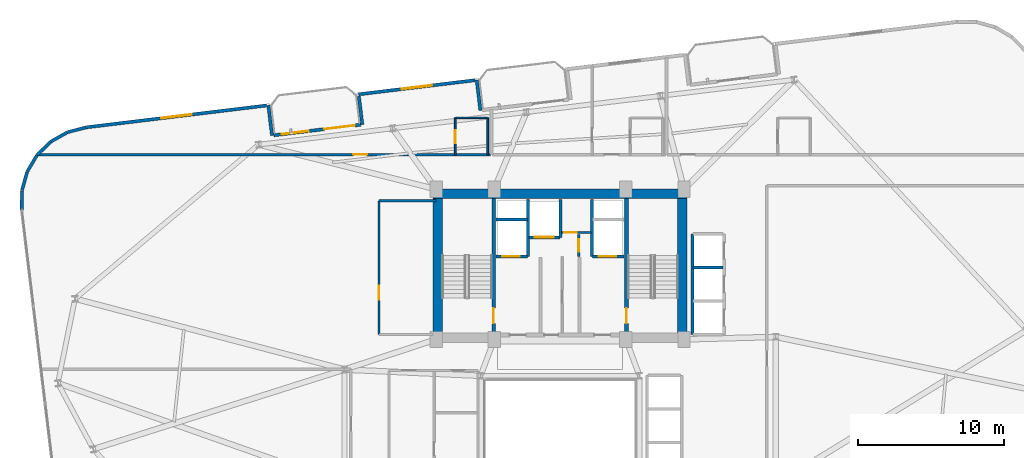
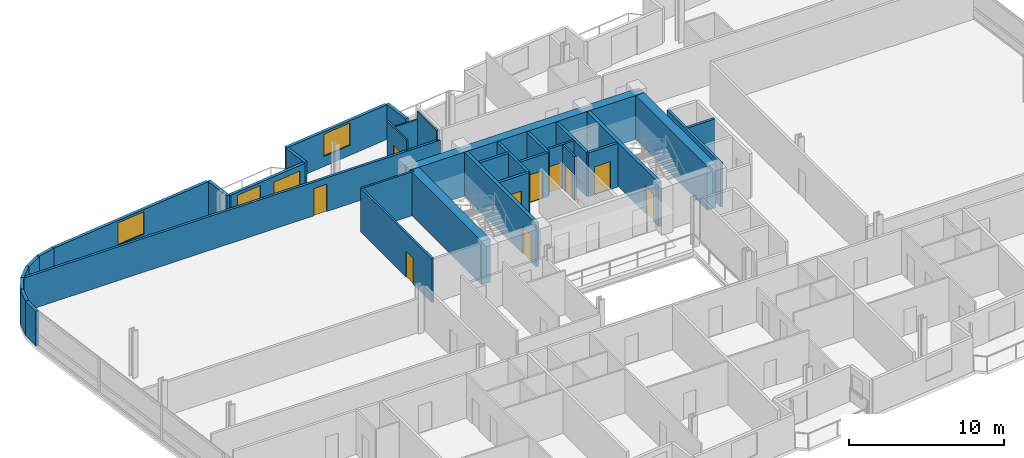
# One storey, part 18 of 24: 34 walls, 11 doors, 3 windows, 14 openings.
"""IFC4 building model written with IfcOpenShell, lengths in metres."""

from ifc_helpers import new_model, si_unit, direction, frame, frame_2d, origin, place, context, subcontext, project, spatial, rectangle, extrude, material, layer, layer_set, type_object, element, fill, save


model = new_model("IFC4")

# Units and contexts
model_context = context("Model", 3, precision=1e-05, world=origin(), true_north=direction((0.0, 1.0)))
body_context = subcontext(model_context, "Body", "Model", "MODEL_VIEW")
ifc_project = project(units=[si_unit("LENGTHUNIT", "METRE"), si_unit("AREAUNIT", "SQUARE_METRE"), si_unit("VOLUMEUNIT", "CUBIC_METRE"), si_unit("PLANEANGLEUNIT", "RADIAN"), si_unit("MASSUNIT", "GRAM", prefix="KILO")], contexts=[model_context])

# Site, building, storey
site_placement = place(None, origin())
site = spatial("IfcSite", under=ifc_project, at=site_placement, CompositionType="ELEMENT")
building_placement = place(site_placement, origin())
building = spatial("IfcBuilding", under=site, at=building_placement, Name="Varnelok Gate Tower", CompositionType="ELEMENT")
storey_placement = place(building_placement, frame((0.0, 0.0, 167.199951171875)))
storey = spatial("IfcBuildingStorey", under=building, at=storey_placement, Name="L42", CompositionType="ELEMENT", Elevation=167.199951171875)

# Wall, openings, door, window
ifc_material_1 = material(Name="Concrete C45/55", Category="concrete")
ifc_layer_1 = layer(ifc_material_1, 0.219970703125)
ifc_layer_set_1 = layer_set([ifc_layer_1], Name="Concrete C45/55")
wall_type_1 = type_object("IfcWallType", Name="EW-BALC-220", PredefinedType="SOLIDWALL", material=ifc_layer_set_1)
wall_1_placement = place(storey_placement, frame((19.556884765625, 42.7529296875, 0.0), z_axis=(0.0, 0.0, 1.0), x_axis=(0.992729951822, 0.120362962556, 0.0)))
wall_1 = element("IfcWall", 1, at=wall_1_placement, inside=storey, type_object=wall_type_1, Name="L42 North Terrace Envelope Wall 4", PredefinedType="SOLIDWALL", context=body_context, shape_type="SweptSolid", body=[
    extrude(rectangle(XDim=6.0, YDim=0.219970703125, at=frame_2d((3.0, 0.0))), origin(), (0.0, 0.0, 1.0), 2.72998046875),
])
opening_1_placement = place(wall_1_placement, frame((3.5, 0.0, 0.0)))
opening_1 = element("IfcOpeningElement", 2, at=opening_1_placement, cuts=wall_1, Name="Opening BD-2", PredefinedType="OPENING", context=body_context, shape_type="SweptSolid", body=[
    extrude(rectangle(XDim=2.10009765625, YDim=2.300048828125, at=frame_2d((1.050048828125, 1.14990234375))), frame((0.0, 0.119873046875, 0.0), z_axis=(0.0, -1.0, 0.0), x_axis=(1.0, 0.0, 0.0)), (0.0, 0.0, 1.0), 0.239990234375),
])
opening_2_placement = place(wall_1_placement, frame((0.550048828125, 0.0, 0.75)))
opening_2 = element("IfcOpeningElement", 3, at=opening_2_placement, cuts=wall_1, Name="Opening WN5", PredefinedType="OPENING", context=body_context, shape_type="SweptSolid", body=[
    extrude(rectangle(XDim=1.85009765625, YDim=1.75, at=frame_2d((0.925048828125, 0.875))), frame((0.0, 0.119873046875, 0.0), z_axis=(0.0, -1.0, 0.0), x_axis=(1.0, 0.0, 0.0)), (0.0, 0.0, 1.0), 0.239990234375),
])
ifc_material_2 = material(Name="Anodized Aluminum Alloy 6063-T6", Category="aluminium")
door_type_1 = type_object("IfcDoorType", Name="DR-EXT-SLID2100", OperationType="SLIDING_TO_LEFT", PredefinedType="DOOR", material=ifc_material_2)
door_1_placement = place(opening_1_placement, origin())
door_1 = element("IfcDoor", 4, at=door_1_placement, inside=storey, type_object=door_type_1, Name="L42 North Balcony Glazed Door 4", OperationType="SLIDING_TO_LEFT", OverallHeight=2.300048828125, OverallWidth=2.10009765625, PredefinedType="DOOR", context=body_context, shape_type="SweptSolid", body=[
    extrude(rectangle(XDim=2.10009765625, YDim=2.300048828125, at=frame_2d((1.050048828125, 1.14990234375))), frame((0.0, 0.02490234375, 0.0), z_axis=(0.0, -1.0, 0.0), x_axis=(1.0, 0.0, 0.0)), (0.0, 0.0, 1.0), 0.050048828125),
])
fill(opening_1, door_1)
ifc_material_3 = material(Name="Low-E Laminated Double Glazing IGU", Category="glass")
window_type_1 = type_object("IfcWindowType", Name="WN-RES-1850", PartitioningType="SINGLE_PANEL", PredefinedType="WINDOW", material=ifc_material_3)
window_1_placement = place(opening_2_placement, origin())
window_1 = element("IfcWindow", 5, at=window_1_placement, inside=storey, type_object=window_type_1, Name="L42 North Vision Window 4.1", OverallHeight=1.75, OverallWidth=1.85009765625, PartitioningType="SINGLE_PANEL", PredefinedType="WINDOW", context=body_context, shape_type="SweptSolid", body=[
    extrude(rectangle(XDim=1.85009765625, YDim=1.75, at=frame_2d((0.925048828125, 0.875))), frame((0.0, 0.030029296875, 0.0), z_axis=(0.0, -1.0, 0.0), x_axis=(1.0, 0.0, 0.0)), (0.0, 0.0, 1.0), 0.06005859375),
])
fill(opening_2, window_1)

# Wall
wall_2_placement = place(storey_placement, frame((33.734375, 44.46142578125, 0.0), z_axis=(0.0, 0.0, 1.0), x_axis=(-0.120327895535, 0.992734202874, 0.0)))
element("IfcWall", 6, at=wall_2_placement, inside=storey, type_object=wall_type_1, Name="L42 Perimeter Facade Closure Wall 34", PredefinedType="SOLIDWALL", context=body_context, shape_type="SweptSolid", body=[
    extrude(rectangle(XDim=2.099853515625, YDim=0.219970703125, at=frame_2d((1.0498046875, 0.0))), origin(), (0.0, 0.0, 1.0), 2.72998046875),
])

# Wall, opening, window
wall_3_placement = place(storey_placement, frame((33.357421875, 46.53125, 0.0), z_axis=(0.0, 0.0, 1.0), x_axis=(-0.992731032022, -0.120354052946, 0.0)))
wall_3 = element("IfcWall", 7, at=wall_3_placement, inside=storey, type_object=wall_type_1, Name="L42 Perimeter Facade Closure Wall 35", PredefinedType="SOLIDWALL", context=body_context, shape_type="SweptSolid", body=[
    extrude(rectangle(XDim=8.034912109375, YDim=0.219970703125, at=frame_2d((4.017578125, 0.0))), origin(), (0.0, 0.0, 1.0), 2.72998046875),
])
opening_3_placement = place(wall_3_placement, frame((2.967529296875, 0.0, 0.800048828125)))
opening_3 = element("IfcOpeningElement", 8, at=opening_3_placement, cuts=wall_3, Name="Opening WN4", PredefinedType="OPENING", context=body_context, shape_type="SweptSolid", body=[
    extrude(rectangle(XDim=2.10009765625, YDim=1.75, at=frame_2d((1.050048828125, 0.875))), frame((0.0, 0.119873046875, 0.0), z_axis=(0.0, -1.0, 0.0), x_axis=(1.0, 0.0, 0.0)), (0.0, 0.0, 1.0), 0.239990234375),
])
window_type_2 = type_object("IfcWindowType", Name="WN-SUI-2100", PartitioningType="SINGLE_PANEL", PredefinedType="WINDOW", material=ifc_material_3)
window_2_placement = place(opening_3_placement, origin())
window_2 = element("IfcWindow", 9, at=window_2_placement, inside=storey, type_object=window_type_2, Name="L42 Perimeter Vision Window 35", OverallHeight=1.75, OverallWidth=2.10009765625, PartitioningType="SINGLE_PANEL", PredefinedType="WINDOW", context=body_context, shape_type="SweptSolid", body=[
    extrude(rectangle(XDim=2.10009765625, YDim=1.75, at=frame_2d((1.050048828125, 0.875))), frame((0.0, 0.030029296875, 0.0), z_axis=(0.0, -1.0, 0.0), x_axis=(1.0, 0.0, 0.0)), (0.0, 0.0, 1.0), 0.06005859375),
])
fill(opening_3, window_2)

# Walls
wall_4_placement = place(storey_placement, frame((25.39599609375, 45.440185546875, 0.0), z_axis=(0.0, 0.0, 1.0), x_axis=(0.120275992932, -0.992740492538, 0.0)))
element("IfcWall", 10, at=wall_4_placement, inside=storey, type_object=wall_type_1, Name="L42 Perimeter Facade Closure Wall 36", PredefinedType="SOLIDWALL", context=body_context, shape_type="SweptSolid", body=[
    extrude(rectangle(XDim=1.97509765625, YDim=0.219970703125, at=frame_2d((0.987548828125, 0.0))), origin(), (0.0, 0.0, 1.0), 2.72998046875),
])
wall_5_placement = place(storey_placement, frame((19.43896484375, 42.728515625, 0.0), z_axis=(0.0, 0.0, 1.0), x_axis=(-0.120327895535, 0.992734202874, 0.0)))
element("IfcWall", 11, at=wall_5_placement, inside=storey, type_object=wall_type_1, Name="L42 Perimeter Facade Closure Wall 37", PredefinedType="SOLIDWALL", context=body_context, shape_type="SweptSolid", body=[
    extrude(rectangle(XDim=2.099853515625, YDim=0.219970703125, at=frame_2d((1.0498046875, 0.0))), origin(), (0.0, 0.0, 1.0), 2.72998046875),
])

# Wall, opening, window
wall_6_placement = place(storey_placement, frame((19.06201171875, 44.798095703125, 0.0), z_axis=(0.0, 0.0, 1.0), x_axis=(-0.992733569027, -0.120333124809, 0.0)))
wall_6 = element("IfcWall", 12, at=wall_6_placement, inside=storey, type_object=wall_type_1, Name="L42 Perimeter Facade Closure Wall 38", PredefinedType="SOLIDWALL", context=body_context, shape_type="SweptSolid", body=[
    extrude(rectangle(XDim=12.447021484375, YDim=0.219970703125, at=frame_2d((6.2236328125, 0.0))), origin(), (0.0, 0.0, 1.0), 2.72998046875),
])
opening_4_placement = place(wall_6_placement, frame((5.173583984375, 0.0, 0.800048828125)))
opening_4 = element("IfcOpeningElement", 13, at=opening_4_placement, cuts=wall_6, Name="Opening WN4", PredefinedType="OPENING", context=body_context, shape_type="SweptSolid", body=[
    extrude(rectangle(XDim=2.10009765625, YDim=1.75, at=frame_2d((1.050048828125, 0.875))), frame((0.0, 0.119873046875, 0.0), z_axis=(0.0, -1.0, 0.0), x_axis=(1.0, 0.0, 0.0)), (0.0, 0.0, 1.0), 0.239990234375),
])
window_3_placement = place(opening_4_placement, origin())
window_3 = element("IfcWindow", 14, at=window_3_placement, inside=storey, type_object=window_type_2, Name="L42 Perimeter Vision Window 38", OverallHeight=1.75, OverallWidth=2.10009765625, PartitioningType="SINGLE_PANEL", PredefinedType="WINDOW", context=body_context, shape_type="SweptSolid", body=[
    extrude(rectangle(XDim=2.10009765625, YDim=1.75, at=frame_2d((1.050048828125, 0.875))), frame((0.0, 0.030029296875, 0.0), z_axis=(0.0, -1.0, 0.0), x_axis=(1.0, 0.0, 0.0)), (0.0, 0.0, 1.0), 0.06005859375),
])
fill(opening_4, window_3)

# Walls
wall_7_placement = place(storey_placement, frame((6.68115234375, 43.294189453125, 0.0), z_axis=(0.0, 0.0, 1.0), x_axis=(-0.968496788899, -0.2490260426, 0.0)))
element("IfcWall", 15, at=wall_7_placement, inside=storey, type_object=wall_type_1, Name="L42 Perimeter Facade Closure Wall 39", PredefinedType="SOLIDWALL", context=body_context, shape_type="SweptSolid", body=[
    extrude(rectangle(XDim=1.308837890625, YDim=0.219970703125, at=frame_2d((0.654296875, 0.0))), origin(), (0.0, 0.0, 1.0), 2.72998046875),
])
for number, where, z_axis, x_axis, name in (
    (16, (5.391845703125, 42.9560546875, 0.0), (0.0, 0.0, 1.0), (-0.87105877335, -0.491178799797, 0.0), "L42 Perimeter Facade Closure Wall 40"),
    (17, (4.24072265625, 42.299560546875, 0.0), (0.0, 0.0, 1.0), (-0.714389219205, -0.699748557329, 0.0), "L42 Perimeter Facade Closure Wall 41"),
):
    element("IfcWall", number, at=place(storey_placement, frame(where, z_axis=z_axis, x_axis=x_axis)), inside=storey, type_object=wall_type_1, Name=name, PredefinedType="SOLIDWALL", context=body_context, shape_type="SweptSolid", body=[
        extrude(rectangle(XDim=1.30078125, YDim=0.219970703125, at=frame_2d((0.650390625, 0.0))), origin(), (0.0, 0.0, 1.0), 2.72998046875),
    ])
wall_8_placement = place(storey_placement, frame((3.298583984375, 41.367919921875, 0.0), z_axis=(0.0, 0.0, 1.0), x_axis=(-0.508716668029, -0.860933999601, 0.0)))
element("IfcWall", 18, at=wall_8_placement, inside=storey, type_object=wall_type_1, Name="L42 Perimeter Facade Closure Wall 42", PredefinedType="SOLIDWALL", context=body_context, shape_type="SweptSolid", body=[
    extrude(rectangle(XDim=1.301025390625, YDim=0.219970703125, at=frame_2d((0.650390625, 0.0))), origin(), (0.0, 0.0, 1.0), 2.72998046875),
])
for number, where, z_axis, x_axis, name in (
    (19, (2.630126953125, 40.223876953125, 0.0), (0.0, 0.0, 1.0), (-0.26876657226, -0.963205341366, 0.0), "L42 Perimeter Facade Closure Wall 43"),
    (20, (2.2802734375, 38.94580078125, 0.0), (0.0, 0.0, 1.0), (-0.01013461463, -0.999948643474, 0.0), "L42 Perimeter Facade Closure Wall 44"),
):
    element("IfcWall", number, at=place(storey_placement, frame(where, z_axis=z_axis, x_axis=x_axis)), inside=storey, type_object=wall_type_1, Name=name, PredefinedType="SOLIDWALL", context=body_context, shape_type="SweptSolid", body=[
        extrude(rectangle(XDim=1.30078125, YDim=0.219970703125, at=frame_2d((0.650390625, 0.0))), origin(), (0.0, 0.0, 1.0), 2.72998046875),
    ])

# Wall, opening, door
ifc_material_4 = material(Name="Gypsum Plasterboard Acoustic Partition", Category="gypsum")
ifc_layer_2 = layer(ifc_material_4, 0.179931640625)
ifc_layer_set_2 = layer_set([ifc_layer_2], Name="Gypsum Plasterboard Acoustic Partition")
wall_type_2 = type_object("IfcWallType", Name="PW-CORR-180", PredefinedType="PARTITIONING", material=ifc_layer_set_2)
wall_9_placement = place(storey_placement, frame((3.39306640625, 41.429931640625, 0.0), z_axis=(0.0, 0.0, 1.0), x_axis=(1.0, 0.0, 0.0)))
wall_9 = element("IfcWall", 21, at=wall_9_placement, inside=storey, type_object=wall_type_2, Name="Interior Partition", PredefinedType="PARTITIONING", context=body_context, shape_type="SweptSolid", body=[
    extrude(rectangle(XDim=31.02685546875, YDim=0.179931640625, at=frame_2d((15.513427734375, 0.0))), origin(), (0.0, 0.0, 1.0), 2.662109375),
])
opening_5_placement = place(wall_9_placement, frame((21.621337890625, 0.0, 0.0)))
opening_5 = element("IfcOpeningElement", 22, at=opening_5_placement, cuts=wall_9, Name="Opening D-HT", PredefinedType="OPENING", context=body_context, shape_type="SweptSolid", body=[
    extrude(rectangle(XDim=0.949951171875, YDim=2.14990234375, at=frame_2d((0.47509765625, 1.074951171875))), frame((0.0, 0.099853515625, 0.0), z_axis=(0.0, -1.0, 0.0), x_axis=(1.0, 0.0, 0.0)), (0.0, 0.0, 1.0), 0.199951171875),
])
ifc_material_5 = material(Name="Engineered Hardwood Timber", Category="wood")
door_type_2 = type_object("IfcDoorType", Name="DR-HTL-950", OperationType="NOTDEFINED", PredefinedType="DOOR", material=ifc_material_5)
door_2_placement = place(opening_5_placement, origin())
door_2 = element("IfcDoor", 23, at=door_2_placement, inside=storey, type_object=door_type_2, Name="L42 Guest Room 07 Entrance Door", OperationType="SINGLE_SWING_RIGHT", OverallHeight=2.14990234375, OverallWidth=0.949951171875, PredefinedType="DOOR", context=body_context, shape_type="SweptSolid", body=[
    extrude(rectangle(XDim=0.949951171875, YDim=2.14990234375, at=frame_2d((0.47509765625, 1.074951171875))), frame((0.0, 0.02490234375, 0.0), z_axis=(0.0, -1.0, 0.0), x_axis=(1.0, 0.0, 0.0)), (0.0, 0.0, 1.0), 0.050048828125),
])
fill(opening_5, door_2)

# Wall
ifc_layer_3 = layer(ifc_material_4, 0.114990234375)
ifc_layer_set_3 = layer_set([ifc_layer_3], Name="Gypsum Plasterboard Acoustic Partition")
wall_type_3 = type_object("IfcWallType", Name="PW-ENS-125", PredefinedType="PARTITIONING", material=ifc_layer_set_3)
wall_10_placement = place(storey_placement, frame((32.050048828125, 43.949951171875, 0.0), z_axis=(0.0, 0.0, 1.0), x_axis=(1.0, 0.0, 0.0)))
element("IfcWall", 24, at=wall_10_placement, inside=storey, type_object=wall_type_3, Name="Interior Partition", PredefinedType="PARTITIONING", context=body_context, shape_type="SweptSolid", body=[
    extrude(rectangle(XDim=2.14990234375, YDim=0.114990234375, at=frame_2d((1.074951171875, 0.0))), origin(), (0.0, 0.0, 1.0), 2.823974609375),
])

# Wall, opening, door
wall_11_placement = place(storey_placement, frame((32.010009765625, 41.429931640625, 0.0), z_axis=(0.0, 0.0, 1.0), x_axis=(0.0, 1.0, 0.0)))
wall_11 = element("IfcWall", 25, at=wall_11_placement, inside=storey, type_object=wall_type_3, Name="Interior Partition", PredefinedType="PARTITIONING", context=body_context, shape_type="SweptSolid", body=[
    extrude(rectangle(XDim=2.52001953125, YDim=0.114990234375, at=frame_2d((1.260009765625, 0.0))), origin(), (0.0, 0.0, 1.0), 3.449951171875),
])
opening_6_placement = place(wall_11_placement, frame((0.760009765625, 0.0, 0.0)))
opening_6 = element("IfcOpeningElement", 26, at=opening_6_placement, cuts=wall_11, Name="Opening D-WC", PredefinedType="OPENING", context=body_context, shape_type="SweptSolid", body=[
    extrude(rectangle(XDim=0.89990234375, YDim=2.050048828125, at=frame_2d((0.449951171875, 1.02490234375))), frame((0.0, 0.0673828125, 0.0), z_axis=(0.0, -1.0, 0.0), x_axis=(1.0, 0.0, 0.0)), (0.0, 0.0, 1.0), 0.135009765625),
])
door_type_3 = type_object("IfcDoorType", Name="DR-BATH-900", OperationType="NOTDEFINED", PredefinedType="DOOR", material=ifc_material_5)
door_3_placement = place(opening_6_placement, origin())
door_3 = element("IfcDoor", 27, at=door_3_placement, inside=storey, type_object=door_type_3, Name="L42 North En-Suite 07 Door", OperationType="SINGLE_SWING_LEFT", OverallHeight=2.050048828125, OverallWidth=0.89990234375, PredefinedType="DOOR", context=body_context, shape_type="SweptSolid", body=[
    extrude(rectangle(XDim=0.89990234375, YDim=2.050048828125, at=frame_2d((0.449951171875, 1.02490234375))), frame((0.0, 0.02490234375, 0.0), z_axis=(0.0, -1.0, 0.0), x_axis=(1.0, 0.0, 0.0)), (0.0, 0.0, 1.0), 0.050048828125),
])
fill(opening_6, door_3)

# Wall
wall_12_placement = place(storey_placement, frame((34.239990234375, 41.429931640625, 0.0), z_axis=(0.0, 0.0, 1.0), x_axis=(0.0, 1.0, 0.0)))
element("IfcWall", 28, at=wall_12_placement, inside=storey, type_object=wall_type_3, Name="Interior Partition", PredefinedType="PARTITIONING", context=body_context, shape_type="SweptSolid", body=[
    extrude(rectangle(XDim=2.52001953125, YDim=0.114990234375, at=frame_2d((1.260009765625, 0.0))), origin(), (0.0, 0.0, 1.0), 3.449951171875),
])

# Wall, opening, door
ifc_layer_4 = layer(ifc_material_4, 0.14990234375)
ifc_layer_set_4 = layer_set([ifc_layer_4], Name="Gypsum Plasterboard Acoustic Partition")
wall_type_4 = type_object("IfcWallType", Name="PW-PART-150", PredefinedType="PARTITIONING", material=ifc_layer_set_4)
wall_13_placement = place(storey_placement, frame((39.300048828125, 36.080078125, 0.0), z_axis=(0.0, 0.0, 1.0), x_axis=(1.0, 0.0, 0.0)))
wall_13 = element("IfcWall", 29, at=wall_13_placement, inside=storey, type_object=wall_type_4, Name="L42 Electrical Closet South Wall", PredefinedType="PARTITIONING", context=body_context, shape_type="SweptSolid", body=[
    extrude(rectangle(XDim=2.02001953125, YDim=0.14990234375, at=frame_2d((1.010009765625, 0.0))), origin(), (0.0, 0.0, 1.0), 3.449951171875),
])
opening_7_placement = place(wall_13_placement, frame((0.179931640625, 0.0, 0.0)))
opening_7 = element("IfcOpeningElement", 30, at=opening_7_placement, cuts=wall_13, Name="Opening D-RS", PredefinedType="OPENING", context=body_context, shape_type="SweptSolid", body=[
    extrude(rectangle(XDim=0.85009765625, YDim=2.050048828125, at=frame_2d((0.425048828125, 1.02490234375))), frame((0.0, 0.0849609375, 0.0), z_axis=(0.0, -1.0, 0.0), x_axis=(1.0, 0.0, 0.0)), (0.0, 0.0, 1.0), 0.169921875),
])
ifc_material_6 = material(Name="Galvanized Steel Grade S350GD", Category="steel")
door_type_4 = type_object("IfcDoorType", Name="DR-RISER-850", OperationType="NOTDEFINED", PredefinedType="DOOR", material=ifc_material_6)
door_4_placement = place(opening_7_placement, origin())
door_4 = element("IfcDoor", 31, at=door_4_placement, inside=storey, type_object=door_type_4, Name="L42 Electrical Closet Door", OperationType="SINGLE_SWING_RIGHT", OverallHeight=2.050048828125, OverallWidth=0.85009765625, PredefinedType="DOOR", context=body_context, shape_type="SweptSolid", body=[
    extrude(rectangle(XDim=0.85009765625, YDim=2.050048828125, at=frame_2d((0.425048828125, 1.02490234375))), frame((0.0, 0.02490234375, 0.0), z_axis=(0.0, -1.0, 0.0), x_axis=(1.0, 0.0, 0.0)), (0.0, 0.0, 1.0), 0.050048828125),
])
fill(opening_7, door_4)

wall_14_placement = place(storey_placement, frame((40.47998046875, 34.43994140625, 0.0), z_axis=(0.0, 0.0, 1.0), x_axis=(0.0, 1.0, 0.0)))
wall_14 = element("IfcWall", 32, at=wall_14_placement, inside=storey, type_object=wall_type_4, Name="L42 Telecoms Closet West Wall", PredefinedType="PARTITIONING", context=body_context, shape_type="SweptSolid", body=[
    extrude(rectangle(XDim=1.52001953125, YDim=0.14990234375, at=frame_2d((0.760009765625, 0.0))), origin(), (0.0, 0.0, 1.0), 3.449951171875),
])
opening_8_placement = place(wall_14_placement, frame((0.320068359375, 0.0, 0.0)))
opening_8 = element("IfcOpeningElement", 33, at=opening_8_placement, cuts=wall_14, Name="Opening D-RS", PredefinedType="OPENING", context=body_context, shape_type="SweptSolid", body=[
    extrude(rectangle(XDim=0.85009765625, YDim=2.050048828125, at=frame_2d((0.425048828125, 1.02490234375))), frame((0.0, 0.0849609375, 0.0), z_axis=(0.0, -1.0, 0.0), x_axis=(1.0, 0.0, 0.0)), (0.0, 0.0, 1.0), 0.169921875),
])
door_5_placement = place(opening_8_placement, origin())
door_5 = element("IfcDoor", 34, at=door_5_placement, inside=storey, type_object=door_type_4, Name="L42 Telecoms Closet Door", OperationType="SINGLE_SWING_LEFT", OverallHeight=2.050048828125, OverallWidth=0.85009765625, PredefinedType="DOOR", context=body_context, shape_type="SweptSolid", body=[
    extrude(rectangle(XDim=0.85009765625, YDim=2.050048828125, at=frame_2d((0.425048828125, 1.02490234375))), frame((0.0, 0.02490234375, 0.0), z_axis=(0.0, -1.0, 0.0), x_axis=(1.0, 0.0, 0.0)), (0.0, 0.0, 1.0), 0.050048828125),
])
fill(opening_8, door_5)

# Wall
wall_15_placement = place(storey_placement, frame((26.780029296875, 38.260009765625, 0.0), z_axis=(0.0, 0.0, 1.0), x_axis=(1.0, 0.0, 0.0)))
element("IfcWall", 35, at=wall_15_placement, inside=storey, type_object=wall_type_4, Name="Interior Partition", PredefinedType="PARTITIONING", context=body_context, shape_type="SweptSolid", body=[
    extrude(rectangle(XDim=3.89990234375, YDim=0.14990234375, at=frame_2d((1.949951171875, 0.0))), origin(), (0.0, 0.0, 1.0), 3.449951171875),
])

# Wall, opening, door
wall_16_placement = place(storey_placement, frame((26.780029296875, 29.080078125, 0.0), z_axis=(0.0, 0.0, 1.0), x_axis=(0.0, 1.0, 0.0)))
wall_16 = element("IfcWall", 36, at=wall_16_placement, inside=storey, type_object=wall_type_4, Name="Interior Partition", PredefinedType="PARTITIONING", context=body_context, shape_type="SweptSolid", body=[
    extrude(rectangle(XDim=9.179931640625, YDim=0.14990234375, at=frame_2d((4.58984375, 0.0))), origin(), (0.0, 0.0, 1.0), 3.449951171875),
])
opening_9_placement = place(wall_16_placement, frame((2.39990234375, 0.0, 0.0)))
opening_9 = element("IfcOpeningElement", 37, at=opening_9_placement, cuts=wall_16, Name="Opening D-I2", PredefinedType="OPENING", context=body_context, shape_type="SweptSolid", body=[
    extrude(rectangle(XDim=0.949951171875, YDim=2.050048828125, at=frame_2d((0.47509765625, 1.02490234375))), frame((0.0, 0.0849609375, 0.0), z_axis=(0.0, -1.0, 0.0), x_axis=(1.0, 0.0, 0.0)), (0.0, 0.0, 1.0), 0.169921875),
])
door_type_5 = type_object("IfcDoorType", Name="DR-INT-950", OperationType="NOTDEFINED", PredefinedType="DOOR", material=ifc_material_5)
door_6_placement = place(opening_9_placement, origin())
door_6 = element("IfcDoor", 38, at=door_6_placement, inside=storey, type_object=door_type_5, Name="L42 Reclaimed Housekeeping Door", OperationType="SINGLE_SWING_RIGHT", OverallHeight=2.050048828125, OverallWidth=0.949951171875, PredefinedType="DOOR", context=body_context, shape_type="SweptSolid", body=[
    extrude(rectangle(XDim=0.949951171875, YDim=2.050048828125, at=frame_2d((0.47509765625, 1.02490234375))), frame((0.0, 0.02490234375, 0.0), z_axis=(0.0, -1.0, 0.0), x_axis=(1.0, 0.0, 0.0)), (0.0, 0.0, 1.0), 0.050048828125),
])
fill(opening_9, door_6)

ifc_material_7 = material(Name="Concrete C35/45", Category="concrete")
ifc_layer_5 = layer(ifc_material_7, 0.199951171875)
ifc_layer_set_5 = layer_set([ifc_layer_5], Name="Concrete C35/45")
wall_type_5 = type_object("IfcWallType", Name="PW-SHAFT-200", PredefinedType="PARTITIONING", material=ifc_layer_set_5)
wall_17_placement = place(storey_placement, frame((34.800048828125, 34.43994140625, 0.0), z_axis=(0.0, 0.0, 1.0), x_axis=(1.0, 0.0, 0.0)))
wall_17 = element("IfcWall", 39, at=wall_17_placement, inside=storey, type_object=wall_type_5, Name="L42 FF1 Shaft Front Wall", PredefinedType="PARTITIONING", context=body_context, shape_type="SweptSolid", body=[
    extrude(rectangle(XDim=2.179931640625, YDim=0.199951171875, at=frame_2d((1.08984375, 0.0))), origin(), (0.0, 0.0, 1.0), 3.449951171875),
])
opening_10_placement = place(wall_17_placement, frame((0.419921875, 0.0, 0.0)))
opening_10 = element("IfcOpeningElement", 40, at=opening_10_placement, cuts=wall_17, Name="Opening LD-FF1", PredefinedType="OPENING", context=body_context, shape_type="SweptSolid", body=[
    extrude(rectangle(XDim=1.199951171875, YDim=2.199951171875, at=frame_2d((0.60009765625, 1.10009765625))), frame((0.0, 0.10986328125, 0.0), z_axis=(0.0, -1.0, 0.0), x_axis=(1.0, 0.0, 0.0)), (0.0, 0.0, 1.0), 0.219970703125),
])
door_type_6 = type_object("IfcDoorType", Name="DR-LIFT-FF1200", OperationType="SLIDING_TO_LEFT", PredefinedType="DOOR", material=ifc_material_6)
door_7_placement = place(opening_10_placement, origin())
door_7 = element("IfcDoor", 41, at=door_7_placement, inside=storey, type_object=door_type_6, Name="L42 Firefighting Lift Landing Door LD-FF1", OperationType="SLIDING_TO_LEFT", OverallHeight=2.199951171875, OverallWidth=1.199951171875, PredefinedType="DOOR", context=body_context, shape_type="SweptSolid", body=[
    extrude(rectangle(XDim=1.199951171875, YDim=2.199951171875, at=frame_2d((0.60009765625, 1.10009765625))), frame((0.0, 0.02490234375, 0.0), z_axis=(0.0, -1.0, 0.0), x_axis=(1.0, 0.0, 0.0)), (0.0, 0.0, 1.0), 0.050048828125),
])
fill(opening_10, door_7)

# Walls
wall_18_placement = place(storey_placement, frame((34.800048828125, 36.97998046875, 0.0), z_axis=(0.0, 0.0, 1.0), x_axis=(1.0, 0.0, 0.0)))
element("IfcWall", 42, at=wall_18_placement, inside=storey, type_object=wall_type_5, Name="L42 FF1 Shaft North Wall", PredefinedType="PARTITIONING", context=body_context, shape_type="SweptSolid", body=[
    extrude(rectangle(XDim=2.179931640625, YDim=0.199951171875, at=frame_2d((1.08984375, 0.0))), origin(), (0.0, 0.0, 1.0), 3.449951171875),
])
wall_19_placement = place(storey_placement, frame((37.0, 34.43994140625, 0.0), z_axis=(0.0, 0.0, 1.0), x_axis=(0.0, 1.0, 0.0)))
element("IfcWall", 43, at=wall_19_placement, inside=storey, type_object=wall_type_5, Name="L42 FF1 Shaft Side Wall", PredefinedType="PARTITIONING", context=body_context, shape_type="SweptSolid", body=[
    extrude(rectangle(XDim=3.900146484375, YDim=0.199951171875, at=frame_2d((1.9501953125, 0.0))), origin(), (0.0, 0.0, 1.0), 3.449951171875),
])

# Wall, opening, door
wall_20_placement = place(storey_placement, frame((41.419921875, 34.43994140625, 0.0), z_axis=(0.0, 0.0, 1.0), x_axis=(1.0, 0.0, 0.0)))
wall_20 = element("IfcWall", 44, at=wall_20_placement, inside=storey, type_object=wall_type_5, Name="L42 FF2 Shaft Front Wall", PredefinedType="PARTITIONING", context=body_context, shape_type="SweptSolid", body=[
    extrude(rectangle(XDim=2.18017578125, YDim=0.199951171875, at=frame_2d((1.090087890625, 0.0))), origin(), (0.0, 0.0, 1.0), 3.449951171875),
])
opening_11_placement = place(wall_20_placement, frame((0.419921875, 0.0, 0.0)))
opening_11 = element("IfcOpeningElement", 45, at=opening_11_placement, cuts=wall_20, Name="Opening LD-FF2", PredefinedType="OPENING", context=body_context, shape_type="SweptSolid", body=[
    extrude(rectangle(XDim=1.199951171875, YDim=2.199951171875, at=frame_2d((0.60009765625, 1.10009765625))), frame((0.0, 0.10986328125, 0.0), z_axis=(0.0, -1.0, 0.0), x_axis=(1.0, 0.0, 0.0)), (0.0, 0.0, 1.0), 0.219970703125),
])
door_8_placement = place(opening_11_placement, origin())
door_8 = element("IfcDoor", 46, at=door_8_placement, inside=storey, type_object=door_type_6, Name="L42 Firefighting Lift Landing Door LD-FF2", OperationType="SLIDING_TO_LEFT", OverallHeight=2.199951171875, OverallWidth=1.199951171875, PredefinedType="DOOR", context=body_context, shape_type="SweptSolid", body=[
    extrude(rectangle(XDim=1.199951171875, YDim=2.199951171875, at=frame_2d((0.60009765625, 1.10009765625))), frame((0.0, 0.02490234375, 0.0), z_axis=(0.0, -1.0, 0.0), x_axis=(1.0, 0.0, 0.0)), (0.0, 0.0, 1.0), 0.050048828125),
])
fill(opening_11, door_8)

# Wall
wall_21_placement = place(storey_placement, frame((41.39990234375, 34.43994140625, 0.0), z_axis=(0.0, 0.0, 1.0), x_axis=(0.0, 1.0, 0.0)))
element("IfcWall", 47, at=wall_21_placement, inside=storey, type_object=wall_type_5, Name="L42 FF2 Shaft Side Wall", PredefinedType="PARTITIONING", context=body_context, shape_type="SweptSolid", body=[
    extrude(rectangle(XDim=3.900146484375, YDim=0.199951171875, at=frame_2d((1.9501953125, 0.0))), origin(), (0.0, 0.0, 1.0), 3.449951171875),
])

# Wall, opening, door
wall_22_placement = place(storey_placement, frame((37.06005859375, 35.75, 0.0), z_axis=(0.0, 0.0, 1.0), x_axis=(1.0, 0.0, 0.0)))
wall_22 = element("IfcWall", 48, at=wall_22_placement, inside=storey, type_object=wall_type_5, Name="L42 SV1 Shaft Front Wall", PredefinedType="PARTITIONING", context=body_context, shape_type="SweptSolid", body=[
    extrude(rectangle(XDim=2.119873046875, YDim=0.199951171875, at=frame_2d((1.06005859375, 0.0))), origin(), (0.0, 0.0, 1.0), 3.449951171875),
])
opening_12_placement = place(wall_22_placement, frame((0.39990234375, 0.0, 0.0)))
opening_12 = element("IfcOpeningElement", 49, at=opening_12_placement, cuts=wall_22, Name="Opening LD-SV1", PredefinedType="OPENING", context=body_context, shape_type="SweptSolid", body=[
    extrude(rectangle(XDim=1.300048828125, YDim=2.199951171875, at=frame_2d((0.64990234375, 1.10009765625))), frame((0.0, 0.10986328125, 0.0), z_axis=(0.0, -1.0, 0.0), x_axis=(1.0, 0.0, 0.0)), (0.0, 0.0, 1.0), 0.219970703125),
])
door_type_7 = type_object("IfcDoorType", Name="DR-LIFT-SV1300", OperationType="SLIDING_TO_LEFT", PredefinedType="DOOR", material=ifc_material_6)
door_9_placement = place(opening_12_placement, origin())
door_9 = element("IfcDoor", 50, at=door_9_placement, inside=storey, type_object=door_type_7, Name="L42 Service Lift Landing Door LD-SV1", OperationType="SLIDING_TO_LEFT", OverallHeight=2.199951171875, OverallWidth=1.300048828125, PredefinedType="DOOR", context=body_context, shape_type="SweptSolid", body=[
    extrude(rectangle(XDim=1.300048828125, YDim=2.199951171875, at=frame_2d((0.64990234375, 1.10009765625))), frame((0.0, 0.02490234375, 0.0), z_axis=(0.0, -1.0, 0.0), x_axis=(1.0, 0.0, 0.0)), (0.0, 0.0, 1.0), 0.050048828125),
])
fill(opening_12, door_9)

# Walls
wall_23_placement = place(storey_placement, frame((39.219970703125, 35.75, 0.0), z_axis=(0.0, 0.0, 1.0), x_axis=(0.0, 1.0, 0.0)))
element("IfcWall", 51, at=wall_23_placement, inside=storey, type_object=wall_type_5, Name="L42 SV1 Shaft East Wall", PredefinedType="PARTITIONING", context=body_context, shape_type="SweptSolid", body=[
    extrude(rectangle(XDim=2.590087890625, YDim=0.199951171875, at=frame_2d((1.294921875, 0.0))), origin(), (0.0, 0.0, 1.0), 3.449951171875),
])
wall_24_placement = place(storey_placement, frame((48.320068359375, 33.675048828125, 0.0), z_axis=(0.0, 0.0, 1.0), x_axis=(1.0, 0.0, 0.0)))
element("IfcWall", 52, at=wall_24_placement, inside=storey, type_object=wall_type_5, Name="L42 PM2 Divider", PredefinedType="PARTITIONING", context=body_context, shape_type="SweptSolid", body=[
    extrude(rectangle(XDim=2.059814453125, YDim=0.199951171875, at=frame_2d((1.02978515625, 0.0))), origin(), (0.0, 0.0, 1.0), 3.449951171875),
])
wall_25_placement = place(storey_placement, frame((48.280029296875, 29.080078125, 0.0), z_axis=(0.0, 0.0, 1.0), x_axis=(0.0, 1.0, 0.0)))
element("IfcWall", 53, at=wall_25_placement, inside=storey, type_object=wall_type_5, Name="L42 PM Bank Back Wall", PredefinedType="PARTITIONING", context=body_context, shape_type="SweptSolid", body=[
    extrude(rectangle(XDim=6.889892578125, YDim=0.199951171875, at=frame_2d((3.44482421875, 0.0))), origin(), (0.0, 0.0, 1.0), 3.449951171875),
])
ifc_material_8 = material(Name="Concrete C60/75", Category="concrete")
ifc_layer_6 = layer(ifc_material_8, 0.64990234375)
ifc_layer_set_6 = layer_set([ifc_layer_6], Name="Concrete C60/75")
wall_type_6 = type_object("IfcWallType", Name="SW-CORE-650", PredefinedType="SHEAR", material=ifc_layer_set_6)
wall_26_placement = place(storey_placement, frame((30.47998046875, 38.7451171875, 0.0), z_axis=(0.0, 0.0, 1.0), x_axis=(1.0, 0.0, 0.0)))
element("IfcWall", 54, at=wall_26_placement, inside=storey, type_object=wall_type_6, Name="L42 Rear Core North Shear Wall", PredefinedType="SHEAR", context=body_context, shape_type="SweptSolid", body=[
    extrude(rectangle(XDim=17.43994140625, YDim=0.64990234375, at=frame_2d((8.719970703125, 0.0))), origin(), (0.0, 0.0, 1.0), 3.449951171875),
])
for number, where, z_axis, x_axis, name in (
    (55, (30.804931640625, 29.199951171875, 0.0), (0.0, 0.0, 1.0), (0.0, 1.0, 0.0), "L42 Rear Core West Shear Wall"),
    (56, (47.594970703125, 29.199951171875, 0.0), (0.0, 0.0, 1.0), (0.0, 1.0, 0.0), "L42 Rear Core East Shear Wall"),
):
    element("IfcWall", number, at=place(storey_placement, frame(where, z_axis=z_axis, x_axis=x_axis)), inside=storey, type_object=wall_type_6, Name=name, PredefinedType="SHEAR", context=body_context, shape_type="SweptSolid", body=[
        extrude(rectangle(XDim=9.219970703125, YDim=0.64990234375, at=frame_2d((4.60986328125, 0.0))), origin(), (0.0, 0.0, 1.0), 3.449951171875),
    ])

# Wall, opening, door
ifc_layer_7 = layer(ifc_material_8, 0.25)
ifc_layer_set_7 = layer_set([ifc_layer_7], Name="Concrete C60/75")
wall_type_7 = type_object("IfcWallType", Name="SW-SHAFT-250", PredefinedType="SHEAR", material=ifc_layer_set_7)
wall_27_placement = place(storey_placement, frame((34.639892578125, 29.199951171875, 0.0), z_axis=(0.0, 0.0, 1.0), x_axis=(0.0, 1.0, 0.0)))
wall_27 = element("IfcWall", 57, at=wall_27_placement, inside=storey, type_object=wall_type_7, Name="L42 Stair ST-1 East Shear Wall", PredefinedType="SHEAR", context=body_context, shape_type="SweptSolid", body=[
    extrude(rectangle(XDim=9.219970703125, YDim=0.25, at=frame_2d((4.60986328125, 0.0))), origin(), (0.0, 0.0, 1.0), 3.449951171875),
])
opening_13_placement = place(wall_27_placement, frame((0.64990234375, 0.0, 0.0)))
opening_13 = element("IfcOpeningElement", 58, at=opening_13_placement, cuts=wall_27, Name="Opening D-ST", PredefinedType="OPENING", context=body_context, shape_type="SweptSolid", body=[
    extrude(rectangle(XDim=1.050048828125, YDim=2.14990234375, at=frame_2d((0.52490234375, 1.074951171875))), frame((0.0, 0.135009765625, 0.0), z_axis=(0.0, -1.0, 0.0), x_axis=(1.0, 0.0, 0.0)), (0.0, 0.0, 1.0), 0.27001953125),
])
door_type_8 = type_object("IfcDoorType", Name="DR-STAIR-1050", OperationType="NOTDEFINED", PredefinedType="DOOR", material=ifc_material_6)
door_10_placement = place(opening_13_placement, origin())
door_10 = element("IfcDoor", 59, at=door_10_placement, inside=storey, type_object=door_type_8, Name="L42 Exit Stair ST-1 Fire Door", OperationType="SINGLE_SWING_LEFT", OverallHeight=2.14990234375, OverallWidth=1.050048828125, PredefinedType="DOOR", context=body_context, shape_type="SweptSolid", body=[
    extrude(rectangle(XDim=1.050048828125, YDim=2.14990234375, at=frame_2d((0.52490234375, 1.074951171875))), frame((0.0, 0.02490234375, 0.0), z_axis=(0.0, -1.0, 0.0), x_axis=(1.0, 0.0, 0.0)), (0.0, 0.0, 1.0), 0.050048828125),
])
fill(opening_13, door_10)

wall_28_placement = place(storey_placement, frame((43.760009765625, 29.199951171875, 0.0), z_axis=(0.0, 0.0, 1.0), x_axis=(0.0, 1.0, 0.0)))
wall_28 = element("IfcWall", 60, at=wall_28_placement, inside=storey, type_object=wall_type_7, Name="L42 Stair ST-2 West Shear Wall", PredefinedType="SHEAR", context=body_context, shape_type="SweptSolid", body=[
    extrude(rectangle(XDim=9.219970703125, YDim=0.25, at=frame_2d((4.60986328125, 0.0))), origin(), (0.0, 0.0, 1.0), 3.449951171875),
])
opening_14_placement = place(wall_28_placement, frame((0.64990234375, 0.0, 0.0)))
opening_14 = element("IfcOpeningElement", 61, at=opening_14_placement, cuts=wall_28, Name="Opening D-ST", PredefinedType="OPENING", context=body_context, shape_type="SweptSolid", body=[
    extrude(rectangle(XDim=1.050048828125, YDim=2.14990234375, at=frame_2d((0.52490234375, 1.074951171875))), frame((0.0, 0.135009765625, 0.0), z_axis=(0.0, -1.0, 0.0), x_axis=(1.0, 0.0, 0.0)), (0.0, 0.0, 1.0), 0.27001953125),
])
door_11_placement = place(opening_14_placement, origin())
door_11 = element("IfcDoor", 62, at=door_11_placement, inside=storey, type_object=door_type_8, Name="L42 Exit Stair ST-2 Fire Door", OperationType="SINGLE_SWING_RIGHT", OverallHeight=2.14990234375, OverallWidth=1.050048828125, PredefinedType="DOOR", context=body_context, shape_type="SweptSolid", body=[
    extrude(rectangle(XDim=1.050048828125, YDim=2.14990234375, at=frame_2d((0.52490234375, 1.074951171875))), frame((0.0, 0.02490234375, 0.0), z_axis=(0.0, -1.0, 0.0), x_axis=(1.0, 0.0, 0.0)), (0.0, 0.0, 1.0), 0.050048828125),
])
fill(opening_14, door_11)

save(model, "model.ifc")
